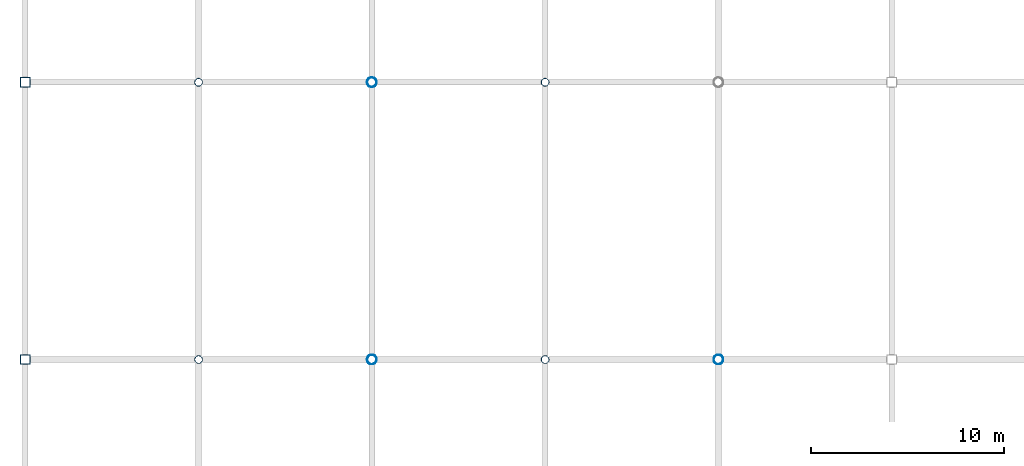
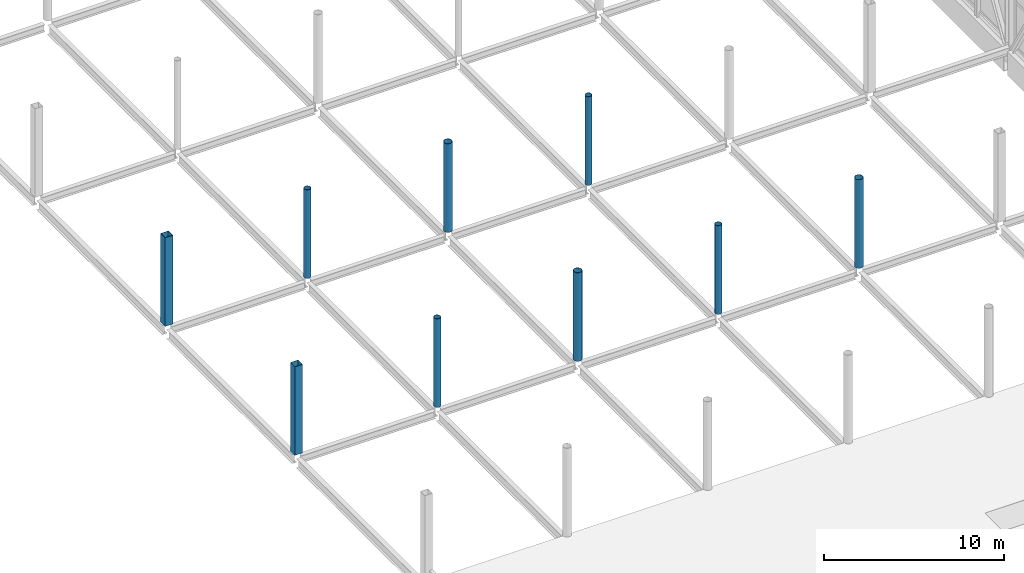
# One storey, part 3 of 191: 9 columns.
"""IFC4 building model written with IfcOpenShell, lengths in metres."""

from ifc_helpers import new_model, si_unit, direction, frame, origin, origin_2d, place, context, subcontext, project, spatial, hollow_rectangle, hollow_circle, extrude, material, material_profile, profile_set, type_object, element, save


model = new_model("IFC4")

# Units and contexts
model_context = context("Model", 3, precision=1e-05, world=origin(), true_north=direction((0.0, 1.0)))
body_context = subcontext(model_context, "Body", "Model", "MODEL_VIEW")
ifc_project = project(units=[si_unit("LENGTHUNIT", "METRE"), si_unit("AREAUNIT", "SQUARE_METRE"), si_unit("VOLUMEUNIT", "CUBIC_METRE"), si_unit("PLANEANGLEUNIT", "RADIAN"), si_unit("MASSUNIT", "GRAM", prefix="KILO")], contexts=[model_context])

# Site, building, storey
site_placement = place(None, origin())
site = spatial("IfcSite", under=ifc_project, at=site_placement, CompositionType="ELEMENT")
building_placement = place(site_placement, origin())
building = spatial("IfcBuilding", under=site, at=building_placement, Name="Tamarisk Ironworks Central Station", CompositionType="ELEMENT")
storey_placement = place(building_placement, frame((0.0, 0.0, 6.60009765625)))
storey = spatial("IfcBuildingStorey", under=building, at=storey_placement, Name="L01", CompositionType="ELEMENT", Elevation=6.60009765625)

# Columns
ifc_material = material(Name="Structural steel S355J2H", Category="steel")
ifc_material_profile_1 = material_profile(ifc_material, hollow_rectangle(XDim=0.5, YDim=0.5, WallThickness=0.02001953125, at=origin_2d()), Name="SHS 500x500x20")
ifc_profile_set_1 = profile_set([ifc_material_profile_1], Name="Structural steel S355J2H")
column_type_1 = type_object("IfcColumnType", Name="COL-S13", PredefinedType="COLUMN", material=ifc_profile_set_1)
for number, where, z_axis, x_axis, name in (
    (1, (0.0, 36.0, 0.0), (0.0, 0.0, 1.0), (1.0, 0.0, 0.0), "L01 column V1-01D"),
    (2, (0.0, 50.39990234375, 0.0), (0.0, 0.0, 1.0), (1.0, 0.0, 0.0), "L01 column V1-01E"),
):
    element("IfcColumn", number, at=place(storey_placement, frame(where, z_axis=z_axis, x_axis=x_axis)), inside=storey, type_object=column_type_1, Name=name, PredefinedType="COLUMN", context=body_context, shape_type="SweptSolid", body=[
        extrude(hollow_rectangle(XDim=0.5, YDim=0.5, WallThickness=0.02001953125, at=origin_2d()), origin(), (0.0, 0.0, 1.0), 6.0),
    ])
ifc_material_profile_2 = material_profile(ifc_material, hollow_circle(Radius=0.25390625, WallThickness=0.01611328125, at=origin_2d()), Name="CHS 508x16")
ifc_profile_set_2 = profile_set([ifc_material_profile_2], Name="Structural steel S355J2H")
column_type_2 = type_object("IfcColumnType", Name="COL-S16", PredefinedType="COLUMN", material=ifc_profile_set_2)
for number, where, z_axis, x_axis, name in (
    (3, (18.0, 36.0, 0.0), (0.0, 0.0, 1.0), (1.0, 0.0, 0.0), "L01 column V1-03D"),
    (4, (18.0, 50.39990234375, 0.0), (0.0, 0.0, 1.0), (1.0, 0.0, 0.0), "L01 column V1-03E"),
    (5, (36.0, 36.0, 0.0), (0.0, 0.0, 1.0), (1.0, 0.0, 0.0), "L01 column V1-05D"),
):
    element("IfcColumn", number, at=place(storey_placement, frame(where, z_axis=z_axis, x_axis=x_axis)), inside=storey, type_object=column_type_2, Name=name, PredefinedType="COLUMN", context=body_context, shape_type="SweptSolid", body=[
        extrude(hollow_circle(Radius=0.25390625, WallThickness=0.01611328125, at=origin_2d()), origin(), (0.0, 0.0, 1.0), 6.0),
    ])
ifc_material_profile_3 = material_profile(ifc_material, hollow_circle(Radius=0.203125, WallThickness=0.01416015625, at=origin_2d()), Name="CHS 406.4x14.2")
ifc_profile_set_3 = profile_set([ifc_material_profile_3], Name="Structural steel S355J2H")
column_type_3 = type_object("IfcColumnType", Name="COL-S17", PredefinedType="COLUMN", material=ifc_profile_set_3)
for number, where, z_axis, x_axis, name in (
    (6, (9.0, 36.0, 0.0), (0.0, 0.0, 1.0), (1.0, 0.0, 0.0), "L01 column V1-02D"),
    (7, (9.0, 50.39990234375, 0.0), (0.0, 0.0, 1.0), (1.0, 0.0, 0.0), "L01 column V1-02E"),
    (8, (27.0, 36.0, 0.0), (0.0, 0.0, 1.0), (1.0, 0.0, 0.0), "L01 column V1-04D"),
    (9, (27.0, 50.39990234375, 0.0), (0.0, 0.0, 1.0), (1.0, 0.0, 0.0), "L01 column V1-04E"),
):
    element("IfcColumn", number, at=place(storey_placement, frame(where, z_axis=z_axis, x_axis=x_axis)), inside=storey, type_object=column_type_3, Name=name, PredefinedType="COLUMN", context=body_context, shape_type="SweptSolid", body=[
        extrude(hollow_circle(Radius=0.203125, WallThickness=0.01416015625, at=origin_2d()), origin(), (0.0, 0.0, 1.0), 6.0),
    ])

save(model, "model.ifc")
